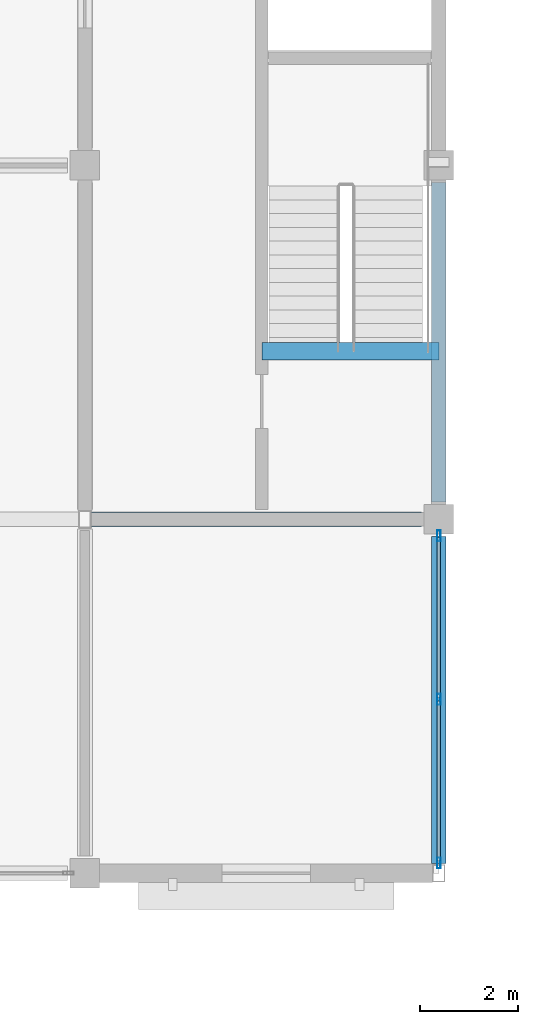
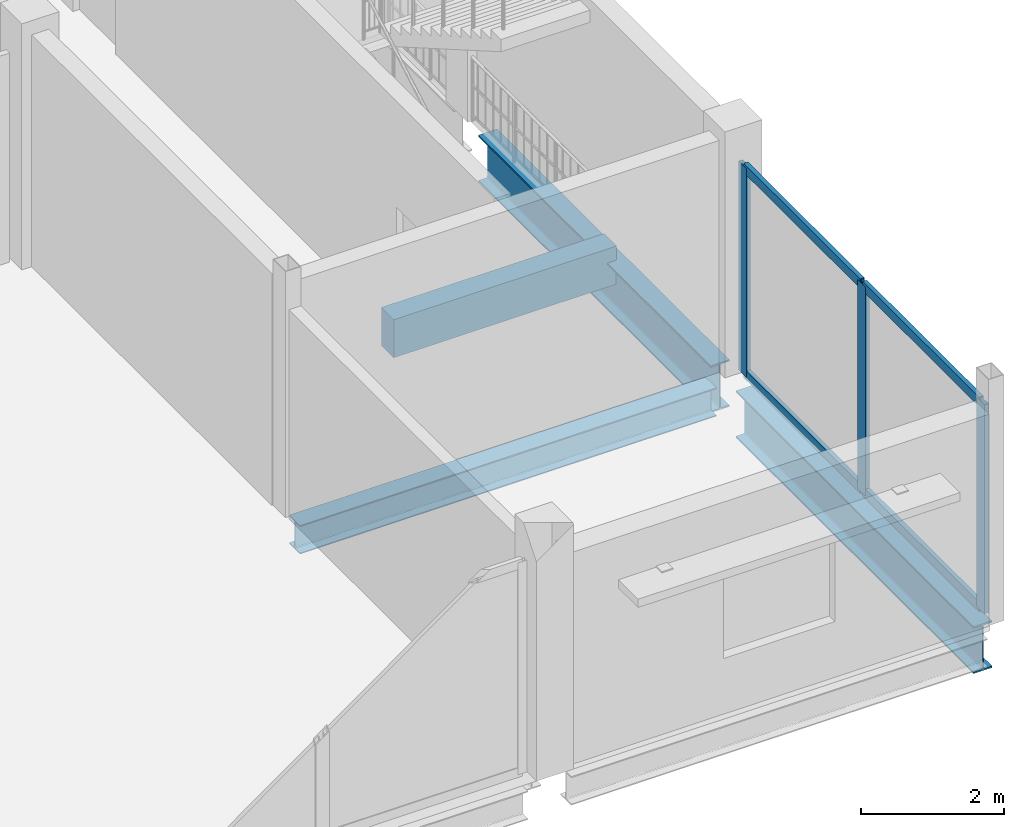
# One storey, part 29 of 51: 7 members, 4 beams, 1 element without a shape of its own.
"""IFC4 building model written with IfcOpenShell, lengths in metres."""

from ifc_helpers import new_model, si_unit, direction, frame, origin, origin_2d, place, context, subcontext, project, spatial, rectangle, hollow_rectangle, i_section, extrude, material, material_profile, profile_set, type_object, element, aggregate, save


model = new_model("IFC4")

# Units and contexts
model_context = context("Model", 3, precision=1e-05, world=origin(), true_north=direction((0.0, 1.0)))
body_context = subcontext(model_context, "Body", "Model", "MODEL_VIEW")
ifc_project = project(units=[si_unit("LENGTHUNIT", "METRE"), si_unit("AREAUNIT", "SQUARE_METRE"), si_unit("VOLUMEUNIT", "CUBIC_METRE"), si_unit("PLANEANGLEUNIT", "RADIAN"), si_unit("MASSUNIT", "GRAM", prefix="KILO")], contexts=[model_context])

# Site, building, storey
site_placement = place(None, origin())
site = spatial("IfcSite", under=ifc_project, at=site_placement, CompositionType="ELEMENT")
building_placement = place(site_placement, origin())
building = spatial("IfcBuilding", under=site, at=building_placement, Name="Vesperath Aquatics Centre", CompositionType="ELEMENT")
storey_placement = place(building_placement, frame((0.0, 0.0, 15.0)))
storey = spatial("IfcBuildingStorey", under=building, at=storey_placement, Name="L03", CompositionType="ELEMENT", Elevation=15.0)

# Beams
ifc_material_1 = material(Name="Concrete C35", Category="concrete")
ifc_material_profile_1 = material_profile(ifc_material_1, rectangle(XDim=0.35009765625, YDim=0.64990234375, at=origin_2d()), Name="RC 350x650")
ifc_profile_set_1 = profile_set([ifc_material_profile_1], Name="Concrete C35")
beam_type_1 = type_object("IfcBeamType", Name="BM-G05", PredefinedType="BEAM", material=ifc_profile_set_1)
beam_1_placement = place(storey_placement, frame((169.199951171875, 10.6201171875, -0.324951171875), z_axis=(1.0, 0.0, 0.0), x_axis=(0.0, 1.0, 0.0)))
element("IfcBeam", 1, at=beam_1_placement, inside=storey, type_object=beam_type_1, Name="Stair ST6 Landing Trimmer Beam B05 L03", PredefinedType="BEAM", context=body_context, shape_type="SweptSolid", body=[
    extrude(rectangle(XDim=0.35009765625, YDim=0.64990234375, at=origin_2d()), origin(), (0.0, 0.0, 1.0), 3.60009765625),
])
ifc_material_2 = material(Name="Steel Q355D", Category="steel")
ifc_material_profile_2 = material_profile(ifc_material_2, i_section(OverallWidth=0.300048828125, OverallDepth=0.800048828125, WebThickness=0.013916015625, FlangeThickness=0.02587890625, FilletRadius=0.028076171875, at=origin_2d()), Name="HN 800x300x14x26")
ifc_profile_set_2 = profile_set([ifc_material_profile_2], Name="Steel Q355D")
beam_type_2 = type_object("IfcBeamType", Name="BM-G07", PredefinedType="BEAM", material=ifc_profile_set_2)
beam_2_placement = place(storey_placement, frame((172.800048828125, 0.199951171875, -0.639892578125), z_axis=(0.0, 1.0, 0.0), x_axis=(-1.0, 0.0, 0.0)))
element("IfcBeam", 2, at=beam_2_placement, inside=storey, type_object=beam_type_2, Name="Floor Girder B07 L03 25 A-B", PredefinedType="BEAM", context=body_context, shape_type="SweptSolid", body=[
    extrude(i_section(OverallWidth=0.300048828125, OverallDepth=0.800048828125, WebThickness=0.013916015625, FlangeThickness=0.02587890625, FilletRadius=0.028076171875, at=origin_2d()), origin(), (0.0, 0.0, 1.0), 6.650146484375),
])
beam_3_placement = place(storey_placement, frame((172.800048828125, 7.550048828125, -0.639892578125), z_axis=(0.0, 1.0, 0.0), x_axis=(-1.0, 0.0, 0.0)))
element("IfcBeam", 3, at=beam_3_placement, inside=storey, type_object=beam_type_2, Name="Floor Girder B07 L03 25 B-C", PredefinedType="BEAM", context=body_context, shape_type="SweptSolid", body=[
    extrude(i_section(OverallWidth=0.300048828125, OverallDepth=0.800048828125, WebThickness=0.013916015625, FlangeThickness=0.02587890625, FilletRadius=0.028076171875, at=origin_2d()), origin(), (0.0, 0.0, 1.0), 6.5),
])
ifc_material_3 = material(Name="Steel Q355C", Category="steel")
ifc_material_profile_3 = material_profile(ifc_material_3, i_section(OverallWidth=0.300048828125, OverallDepth=0.488037109375, WebThickness=0.010986328125, FlangeThickness=0.01806640625, FilletRadius=0.02587890625, at=origin_2d()), Name="HM 488x300x11x18")
ifc_profile_set_3 = profile_set([ifc_material_profile_3], Name="Steel Q355C")
beam_type_3 = type_object("IfcBeamType", Name="BM-G10", PredefinedType="BEAM", material=ifc_profile_set_3)
beam_4_placement = place(storey_placement, frame((165.72509765625, 7.199951171875, -0.48388671875), z_axis=(1.0, 0.0, 0.0), x_axis=(0.0, 1.0, 0.0)))
element("IfcBeam", 4, at=beam_4_placement, inside=storey, type_object=beam_type_3, Name="Floor Girder B10 L03 B 24-25", PredefinedType="BEAM", context=body_context, shape_type="SweptSolid", body=[
    extrude(i_section(OverallWidth=0.300048828125, OverallDepth=0.488037109375, WebThickness=0.010986328125, FlangeThickness=0.01806640625, FilletRadius=0.02587890625, at=origin_2d()), origin(), (0.0, 0.0, 1.0), 6.724853515625),
])

# Curtain wall, members
ifc_material_4 = material(Name="Thermally broken anodised bronze aluminium curtain wall", Category="aluminium")
curtain_wall_type = type_object("IfcCurtainWallType", Name="CW-07", PredefinedType="NOTDEFINED", material=ifc_material_4)
curtain_wall_placement = place(storey_placement, origin())
curtain_wall = element("IfcCurtainWall", 5, at=curtain_wall_placement, inside=storey, type_object=curtain_wall_type, Name="Facade Curtain Wall CW07 L03_E_24_00", PredefinedType="NOTDEFINED")
ifc_material_5 = material(Name="Thermally broken anodised aluminium", Category="aluminium")
ifc_material_profile_4 = material_profile(ifc_material_5, hollow_rectangle(XDim=0.070068359375, YDim=0.219970703125, WallThickness=0.0048828125, at=origin_2d()), Name="CWM 70x220x5")
ifc_profile_set_4 = profile_set([ifc_material_profile_4], Name="Thermally broken anodised aluminium")
member_type_1 = type_object("IfcMemberType", Name="MB-CWM2", PredefinedType="MULLION", material=ifc_profile_set_4)
member_1_placement = place(storey_placement, frame((172.800048828125, 0.2099609375, 0.0), z_axis=(0.0, 0.0, 1.0), x_axis=(-1.0, 0.0, 0.0)))
member_1 = element("IfcMember", 6, at=member_1_placement, type_object=member_type_1, Name="CW07 mullion 1", PredefinedType="MULLION", context=body_context, shape_type="SweptSolid", body=[
    extrude(hollow_rectangle(XDim=0.070068359375, YDim=0.219970703125, WallThickness=0.0048828125, at=origin_2d()), origin(), (0.0, 0.0, 1.0), 3.570068359375),
])
member_2_placement = place(storey_placement, frame((172.800048828125, 3.53759765625, 0.0), z_axis=(0.0, 0.0, 1.0), x_axis=(-1.0, 0.0, 0.0)))
member_2 = element("IfcMember", 7, at=member_2_placement, type_object=member_type_1, Name="CW07 mullion 2", PredefinedType="MULLION", context=body_context, shape_type="SweptSolid", body=[
    extrude(hollow_rectangle(XDim=0.070068359375, YDim=0.219970703125, WallThickness=0.0048828125, at=origin_2d()), origin(), (0.0, 0.0, 1.0), 3.570068359375),
])
member_3_placement = place(storey_placement, frame((172.800048828125, 6.864990234375, 0.0), z_axis=(0.0, 0.0, 1.0), x_axis=(-1.0, 0.0, 0.0)))
member_3 = element("IfcMember", 8, at=member_3_placement, type_object=member_type_1, Name="CW07 mullion 3", PredefinedType="MULLION", context=body_context, shape_type="SweptSolid", body=[
    extrude(hollow_rectangle(XDim=0.070068359375, YDim=0.219970703125, WallThickness=0.0048828125, at=origin_2d()), origin(), (0.0, 0.0, 1.0), 3.570068359375),
])
ifc_material_profile_5 = material_profile(ifc_material_5, hollow_rectangle(XDim=0.070068359375, YDim=0.159912109375, WallThickness=0.0048828125, at=origin_2d()), Name="CWT 70x160x5")
ifc_profile_set_5 = profile_set([ifc_material_profile_5], Name="Thermally broken anodised aluminium")
member_type_2 = type_object("IfcMemberType", Name="MB-CWT2", PredefinedType="USERDEFINED", material=ifc_profile_set_5)
member_4_placement = place(storey_placement, frame((172.800048828125, 0.2451171875, 0.034912109375), z_axis=(0.0, 1.0, 0.0), x_axis=(-1.0, 0.0, 0.0)))
member_4 = element("IfcMember", 9, at=member_4_placement, type_object=member_type_2, Name="CW07 transom 1.1", ObjectType="TRANSOM", PredefinedType="USERDEFINED", context=body_context, shape_type="SweptSolid", body=[
    extrude(hollow_rectangle(XDim=0.070068359375, YDim=0.159912109375, WallThickness=0.0048828125, at=origin_2d()), origin(), (0.0, 0.0, 1.0), 3.25732421875),
])
member_5_placement = place(storey_placement, frame((172.800048828125, 0.2451171875, 3.534912109375), z_axis=(0.0, 1.0, 0.0), x_axis=(-1.0, 0.0, 0.0)))
member_5 = element("IfcMember", 10, at=member_5_placement, type_object=member_type_2, Name="CW07 transom 1.2", ObjectType="TRANSOM", PredefinedType="USERDEFINED", context=body_context, shape_type="SweptSolid", body=[
    extrude(hollow_rectangle(XDim=0.070068359375, YDim=0.159912109375, WallThickness=0.0048828125, at=origin_2d()), origin(), (0.0, 0.0, 1.0), 3.25732421875),
])
member_6_placement = place(storey_placement, frame((172.800048828125, 3.572509765625, 0.034912109375), z_axis=(0.0, 1.0, 0.0), x_axis=(-1.0, 0.0, 0.0)))
member_6 = element("IfcMember", 11, at=member_6_placement, type_object=member_type_2, Name="CW07 transom 2.1", ObjectType="TRANSOM", PredefinedType="USERDEFINED", context=body_context, shape_type="SweptSolid", body=[
    extrude(hollow_rectangle(XDim=0.070068359375, YDim=0.159912109375, WallThickness=0.0048828125, at=origin_2d()), origin(), (0.0, 0.0, 1.0), 3.257568359375),
])
member_7_placement = place(storey_placement, frame((172.800048828125, 3.572509765625, 3.534912109375), z_axis=(0.0, 1.0, 0.0), x_axis=(-1.0, 0.0, 0.0)))
member_7 = element("IfcMember", 12, at=member_7_placement, type_object=member_type_2, Name="CW07 transom 2.2", ObjectType="TRANSOM", PredefinedType="USERDEFINED", context=body_context, shape_type="SweptSolid", body=[
    extrude(hollow_rectangle(XDim=0.070068359375, YDim=0.159912109375, WallThickness=0.0048828125, at=origin_2d()), origin(), (0.0, 0.0, 1.0), 3.257568359375),
])
aggregate(curtain_wall, [member_1, member_2, member_3, member_4, member_5, member_6, member_7])

save(model, "model.ifc")
